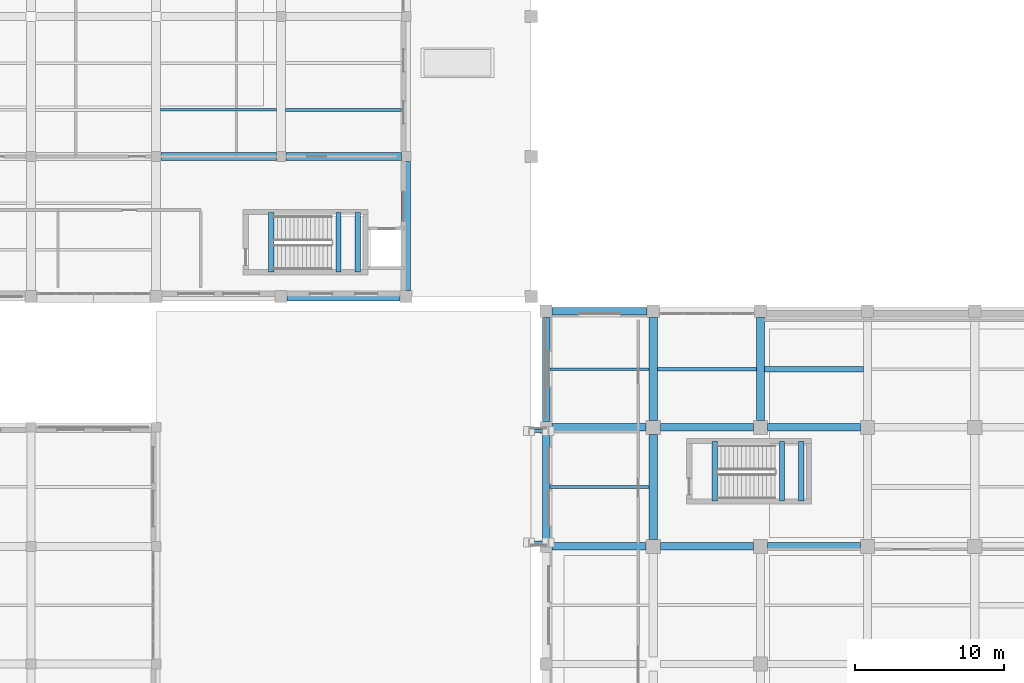
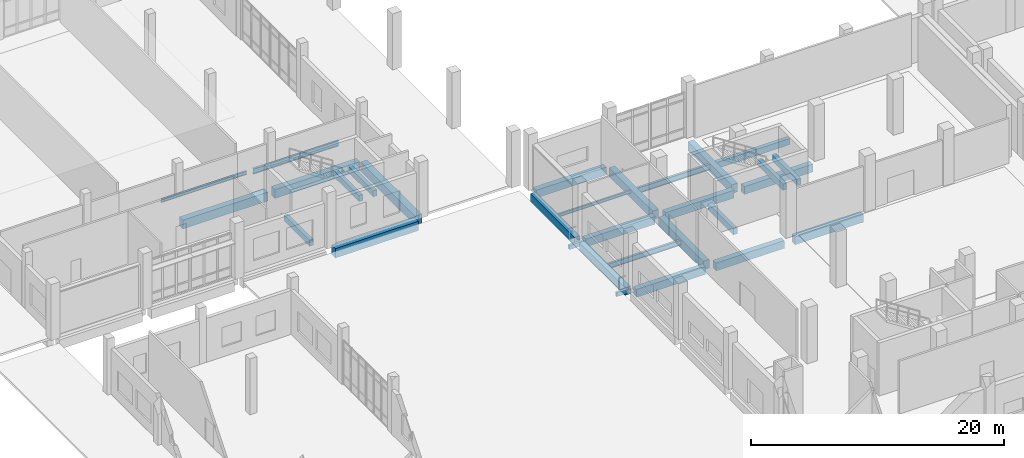
# One storey, part 20 of 79: 30 beams.
"""IFC4 building model written with IfcOpenShell, lengths in metres."""

from ifc_helpers import new_model, si_unit, direction, frame, origin, origin_2d, place, context, subcontext, project, spatial, rectangle, hollow_rectangle, i_section, extrude, material, material_profile, profile_set, type_object, element, save


model = new_model("IFC4")

# Units and contexts
model_context = context("Model", 3, precision=1e-05, world=origin(), true_north=direction((0.0, 1.0)))
body_context = subcontext(model_context, "Body", "Model", "MODEL_VIEW")
ifc_project = project(units=[si_unit("LENGTHUNIT", "METRE"), si_unit("AREAUNIT", "SQUARE_METRE"), si_unit("VOLUMEUNIT", "CUBIC_METRE"), si_unit("PLANEANGLEUNIT", "RADIAN"), si_unit("MASSUNIT", "GRAM", prefix="KILO")], contexts=[model_context])

# Site, building, storey
site_placement = place(None, origin())
site = spatial("IfcSite", under=ifc_project, at=site_placement, CompositionType="ELEMENT")
building_placement = place(site_placement, origin())
building = spatial("IfcBuilding", under=site, at=building_placement, Name="Kelarvand Opera House", CompositionType="ELEMENT")
storey_placement = place(building_placement, origin())
storey = spatial("IfcBuildingStorey", under=building, at=storey_placement, Name="L00", CompositionType="ELEMENT", Elevation=0.0)

# Beams
ifc_material_1 = material(Name="Concrete C35/45", Category="concrete")
ifc_material_profile_1 = material_profile(ifc_material_1, rectangle(XDim=0.35009765625, YDim=0.60009765625, at=origin_2d()), Name="RC 350x600", Category="concrete")
ifc_profile_set_1 = profile_set([ifc_material_profile_1], Name="Concrete C35/45")
beam_type_1 = type_object("IfcBeamType", Name="Structural Beam RC 350x600 BM-RC350x600", PredefinedType="BEAM", material=ifc_profile_set_1)
beam_1_placement = place(storey_placement, frame((66.675048828125, 82.300048828125, -0.6201171875), z_axis=(1.0, 0.0, 0.0), x_axis=(0.0, 1.0, 0.0)))
element("IfcBeam", 1, at=beam_1_placement, inside=storey, type_object=beam_type_1, Name="V2 L00 Beam BM-RC350x600", PredefinedType="BEAM", context=body_context, shape_type="SweptSolid", body=[
    extrude(rectangle(XDim=0.35009765625, YDim=0.60009765625, at=origin_2d()), origin(), (0.0, 0.0, 1.0), 6.64990234375),
])
for number, where, z_axis, x_axis, name in (
    (2, (63.340087890625, 73.449951171875, -0.52001953125), (0.0, 1.0, 0.0), (-1.0, 0.0, 0.0), "C3 Stair Landing Support Beam L00"),
    (3, (67.85009765625, 73.449951171875, 2.199951171875), (0.0, 1.0, 0.0), (-1.0, 0.0, 0.0), "C3 Stair Half-Landing Beam 1 L00"),
    (4, (69.14990234375, 73.449951171875, 2.199951171875), (0.0, 1.0, 0.0), (-1.0, 0.0, 0.0), "C3 Stair Half-Landing Beam 2 L00"),
    (5, (33.5400390625, 88.85009765625, -0.52001953125), (0.0, 1.0, 0.0), (-1.0, 0.0, 0.0), "C5 Stair Landing Support Beam L00"),
    (6, (38.050048828125, 88.85009765625, 2.199951171875), (0.0, 1.0, 0.0), (-1.0, 0.0, 0.0), "C5 Stair Half-Landing Beam 1 L00"),
    (7, (39.35009765625, 88.85009765625, 2.199951171875), (0.0, 1.0, 0.0), (-1.0, 0.0, 0.0), "C5 Stair Half-Landing Beam 2 L00"),
):
    element("IfcBeam", number, at=place(storey_placement, frame(where, z_axis=z_axis, x_axis=x_axis)), inside=storey, type_object=beam_type_1, Name=name, PredefinedType="BEAM", context=body_context, shape_type="SweptSolid", body=[
        extrude(rectangle(XDim=0.35009765625, YDim=0.60009765625, at=origin_2d()), origin(), (0.0, 0.0, 1.0), 4.0),
    ])
ifc_material_2 = material(Name="Concrete C40/50", Category="concrete")
ifc_material_profile_2 = material_profile(ifc_material_2, rectangle(XDim=0.5, YDim=0.75, at=origin_2d()), Name="RC 500x750", Category="concrete")
ifc_profile_set_2 = profile_set([ifc_material_profile_2], Name="Concrete C40/50")
beam_type_2 = type_object("IfcBeamType", Name="Structural Beam RC 500x750 BM-RC500x750", PredefinedType="BEAM", material=ifc_profile_set_2)
beam_2_placement = place(storey_placement, frame((52.409912109375, 70.39990234375, -0.695068359375), z_axis=(1.0, 0.0, 0.0), x_axis=(0.0, 1.0, 0.0)))
element("IfcBeam", 8, at=beam_2_placement, inside=storey, type_object=beam_type_2, Name="V2 L00 Beam BM-RC500x750", PredefinedType="BEAM", context=body_context, shape_type="SweptSolid", body=[
    extrude(rectangle(XDim=0.5, YDim=0.75, at=origin_2d()), origin(), (0.0, 0.0, 1.0), 6.315185546875),
])
for number, where, z_axis, x_axis, name in (
    (9, (59.675048828125, 70.39990234375, -0.695068359375), (1.0, 0.0, 0.0), (0.0, 1.0, 0.0), "V2 L00 Beam BM-RC500x750"),
    (10, (66.875, 70.39990234375, -0.695068359375), (1.0, 0.0, 0.0), (0.0, 1.0, 0.0), "V2 L00 Beam BM-RC500x750"),
):
    element("IfcBeam", number, at=place(storey_placement, frame(where, z_axis=z_axis, x_axis=x_axis)), inside=storey, type_object=beam_type_2, Name=name, PredefinedType="BEAM", context=body_context, shape_type="SweptSolid", body=[
        extrude(rectangle(XDim=0.5, YDim=0.75, at=origin_2d()), origin(), (0.0, 0.0, 1.0), 6.25),
    ])
beam_3_placement = place(storey_placement, frame((52.409912109375, 78.39990234375, -0.695068359375), z_axis=(1.0, 0.0, 0.0), x_axis=(0.0, 1.0, 0.0)))
element("IfcBeam", 11, at=beam_3_placement, inside=storey, type_object=beam_type_2, Name="V2 L00 Beam BM-RC500x750", PredefinedType="BEAM", context=body_context, shape_type="SweptSolid", body=[
    extrude(rectangle(XDim=0.5, YDim=0.75, at=origin_2d()), origin(), (0.0, 0.0, 1.0), 6.315185546875),
])
for number, where, z_axis, x_axis, name in (
    (12, (59.675048828125, 78.39990234375, -0.695068359375), (1.0, 0.0, 0.0), (0.0, 1.0, 0.0), "V2 L00 Beam BM-RC500x750"),
    (13, (66.875, 78.39990234375, -0.695068359375), (1.0, 0.0, 0.0), (0.0, 1.0, 0.0), "V2 L00 Beam BM-RC500x750"),
):
    element("IfcBeam", number, at=place(storey_placement, frame(where, z_axis=z_axis, x_axis=x_axis)), inside=storey, type_object=beam_type_2, Name=name, PredefinedType="BEAM", context=body_context, shape_type="SweptSolid", body=[
        extrude(rectangle(XDim=0.5, YDim=0.75, at=origin_2d()), origin(), (0.0, 0.0, 1.0), 6.25),
    ])
ifc_material_profile_3 = material_profile(ifc_material_2, rectangle(XDim=0.550048828125, YDim=0.85009765625, at=origin_2d()), Name="RC 550x850", Category="concrete")
ifc_profile_set_3 = profile_set([ifc_material_profile_3], Name="Concrete C40/50")
beam_type_3 = type_object("IfcBeamType", Name="Structural Beam RC 550x850 BM-RC550x850", PredefinedType="BEAM", material=ifc_profile_set_3)
beam_4_placement = place(storey_placement, frame((59.199951171875, 70.875, -0.7451171875), z_axis=(0.0, 1.0, 0.0), x_axis=(-1.0, 0.0, 0.0)))
element("IfcBeam", 14, at=beam_4_placement, inside=storey, type_object=beam_type_3, Name="V2 L00 Beam BM-RC550x850", PredefinedType="BEAM", context=body_context, shape_type="SweptSolid", body=[
    extrude(rectangle(XDim=0.550048828125, YDim=0.85009765625, at=origin_2d()), origin(), (0.0, 0.0, 1.0), 7.050048828125),
])
for number, where, z_axis, x_axis, name in (
    (15, (59.199951171875, 78.875, -0.7451171875), (0.0, 1.0, 0.0), (-1.0, 0.0, 0.0), "V2 L00 Beam BM-RC550x850"),
    (16, (66.39990234375, 78.875, -0.7451171875), (0.0, 1.0, 0.0), (-1.0, 0.0, 0.0), "V2 L00 Beam BM-RC550x850"),
):
    element("IfcBeam", number, at=place(storey_placement, frame(where, z_axis=z_axis, x_axis=x_axis)), inside=storey, type_object=beam_type_3, Name=name, PredefinedType="BEAM", context=body_context, shape_type="SweptSolid", body=[
        extrude(rectangle(XDim=0.550048828125, YDim=0.85009765625, at=origin_2d()), origin(), (0.0, 0.0, 1.0), 6.9150390625),
    ])
for number, where, z_axis, x_axis, name in (
    (17, (26.125, 96.60009765625, -0.72509765625), (1.0, 0.0, 0.0), (0.0, 1.0, 0.0), "V3 L00 Beam BM-RC550x850"),
    (18, (34.52490234375, 96.60009765625, -0.72509765625), (1.0, 0.0, 0.0), (0.0, 1.0, 0.0), "V3 L00 Beam BM-RC550x850"),
):
    element("IfcBeam", number, at=place(storey_placement, frame(where, z_axis=z_axis, x_axis=x_axis)), inside=storey, type_object=beam_type_3, Name=name, PredefinedType="BEAM", context=body_context, shape_type="SweptSolid", body=[
        extrude(rectangle(XDim=0.550048828125, YDim=0.85009765625, at=origin_2d()), origin(), (0.0, 0.0, 1.0), 7.75),
    ])
ifc_material_profile_4 = material_profile(ifc_material_2, rectangle(XDim=0.60009765625, YDim=0.89990234375, at=origin_2d()), Name="RC 600x900", Category="concrete")
ifc_profile_set_4 = profile_set([ifc_material_profile_4], Name="Concrete C40/50")
beam_type_4 = type_object("IfcBeamType", Name="Structural Beam RC 600x900 BM-RC600x900", PredefinedType="BEAM", material=ifc_profile_set_4)
beam_5_placement = place(storey_placement, frame((42.60009765625, 87.610107421875, -0.75), z_axis=(0.0, 1.0, 0.0), x_axis=(-1.0, 0.0, 0.0)))
element("IfcBeam", 19, at=beam_5_placement, inside=storey, type_object=beam_type_4, Name="V3 L00 Beam BM-RC600x900", PredefinedType="BEAM", context=body_context, shape_type="SweptSolid", body=[
    extrude(rectangle(XDim=0.60009765625, YDim=0.89990234375, at=origin_2d()), origin(), (0.0, 0.0, 1.0), 8.664794921875),
])
ifc_material_3 = material(Name="Steel S355", Category="steel")
ifc_material_profile_5 = material_profile(ifc_material_3, hollow_rectangle(XDim=0.199951171875, YDim=0.39990234375, WallThickness=0.01611328125, at=origin_2d()), Name="RHS 400x200x16.0", Category="steel")
ifc_profile_set_5 = profile_set([ifc_material_profile_5], Name="Steel S355")
beam_type_5 = type_object("IfcBeamType", Name="Structural Beam RHS 400x200x16.0 BM-RHS400", PredefinedType="BEAM", material=ifc_profile_set_5)
for number, where, z_axis, x_axis, name in (
    (20, (50.85009765625, 70.64990234375, -0.52001953125), (1.0, 0.0, 0.0), (0.0, 1.0, 0.0), "Seismic Sliding Corbel Beam BR-JW-N L00 1"),
    (21, (50.85009765625, 78.14990234375, -0.52001953125), (1.0, 0.0, 0.0), (0.0, 1.0, 0.0), "Seismic Sliding Corbel Beam BR-JW-N L00 2"),
):
    element("IfcBeam", number, at=place(storey_placement, frame(where, z_axis=z_axis, x_axis=x_axis)), inside=storey, type_object=beam_type_5, Name=name, PredefinedType="BEAM", context=body_context, shape_type="SweptSolid", body=[
        extrude(hollow_rectangle(XDim=0.199951171875, YDim=0.39990234375, WallThickness=0.01611328125, at=origin_2d()), origin(), (0.0, 0.0, 1.0), 1.2998046875),
    ])
ifc_material_profile_6 = material_profile(ifc_material_3, i_section(OverallWidth=0.14990234375, OverallDepth=0.300048828125, WebThickness=0.007080078125, FlangeThickness=0.0107421875, at=origin_2d()), Name="IPE 300", Category="steel")
ifc_profile_set_6 = profile_set([ifc_material_profile_6], Name="Steel S355")
beam_type_6 = type_object("IfcBeamType", Name="Structural Joist IPE 300 JS-IPE300", PredefinedType="JOIST", material=ifc_profile_set_6)
beam_6_placement = place(storey_placement, frame((52.25, 82.300048828125, -0.469970703125), z_axis=(1.0, 0.0, 0.0), x_axis=(0.0, 1.0, 0.0)))
element("IfcBeam", 22, at=beam_6_placement, inside=storey, type_object=beam_type_6, Name="V2 L00 Beam JS-IPE300", PredefinedType="JOIST", context=body_context, shape_type="SweptSolid", body=[
    extrude(i_section(OverallWidth=0.14990234375, OverallDepth=0.300048828125, WebThickness=0.007080078125, FlangeThickness=0.0107421875, at=origin_2d()), origin(), (0.0, 0.0, 1.0), 6.675048828125),
])
ifc_material_profile_7 = material_profile(ifc_material_3, i_section(OverallWidth=0.159912109375, OverallDepth=0.330078125, WebThickness=0.007568359375, FlangeThickness=0.011474609375, at=origin_2d()), Name="IPE 330", Category="steel")
ifc_profile_set_7 = profile_set([ifc_material_profile_7], Name="Steel S355")
beam_type_7 = type_object("IfcBeamType", Name="Structural Joist IPE 330 JS-IPE330", PredefinedType="JOIST", material=ifc_profile_set_7)
beam_7_placement = place(storey_placement, frame((26.10009765625, 99.7333984375, -0.465087890625), z_axis=(1.0, 0.0, 0.0), x_axis=(0.0, 1.0, 0.0)))
element("IfcBeam", 23, at=beam_7_placement, inside=storey, type_object=beam_type_7, Name="V3 L00 Beam JS-IPE330", PredefinedType="JOIST", context=body_context, shape_type="SweptSolid", body=[
    extrude(i_section(OverallWidth=0.159912109375, OverallDepth=0.330078125, WebThickness=0.007568359375, FlangeThickness=0.011474609375, at=origin_2d()), origin(), (0.0, 0.0, 1.0), 7.7998046875),
])
ifc_material_profile_8 = material_profile(ifc_material_3, i_section(OverallWidth=0.199951171875, OverallDepth=0.5, WebThickness=0.01025390625, FlangeThickness=0.01611328125, at=origin_2d()), Name="IPE 500", Category="steel")
ifc_profile_set_8 = profile_set([ifc_material_profile_8], Name="Steel S355")
beam_type_8 = type_object("IfcBeamType", Name="Structural Joist IPE 500 JS-IPE500", PredefinedType="JOIST", material=ifc_profile_set_8)
beam_8_placement = place(storey_placement, frame((52.25, 74.39990234375, -0.570068359375), z_axis=(1.0, 0.0, 0.0), x_axis=(0.0, 1.0, 0.0)))
element("IfcBeam", 24, at=beam_8_placement, inside=storey, type_object=beam_type_8, Name="V2 L00 Beam JS-IPE500", PredefinedType="JOIST", context=body_context, shape_type="SweptSolid", body=[
    extrude(i_section(OverallWidth=0.199951171875, OverallDepth=0.5, WebThickness=0.01025390625, FlangeThickness=0.01611328125, at=origin_2d()), origin(), (0.0, 0.0, 1.0), 6.675048828125),
])
beam_9_placement = place(storey_placement, frame((34.5, 99.7333984375, -0.550048828125), z_axis=(1.0, 0.0, 0.0), x_axis=(0.0, 1.0, 0.0)))
element("IfcBeam", 25, at=beam_9_placement, inside=storey, type_object=beam_type_8, Name="V3 L00 Beam JS-IPE500", PredefinedType="JOIST", context=body_context, shape_type="SweptSolid", body=[
    extrude(i_section(OverallWidth=0.199951171875, OverallDepth=0.5, WebThickness=0.01025390625, FlangeThickness=0.01611328125, at=origin_2d()), origin(), (0.0, 0.0, 1.0), 7.800048828125),
])
ifc_material_profile_9 = material_profile(ifc_material_3, i_section(OverallWidth=0.2099609375, OverallDepth=0.550048828125, WebThickness=0.010986328125, FlangeThickness=0.01708984375, at=origin_2d()), Name="IPE 550", Category="steel")
ifc_profile_set_9 = profile_set([ifc_material_profile_9], Name="Steel S355")
beam_type_9 = type_object("IfcBeamType", Name="Structural Joist IPE 550 JS-IPE550", PredefinedType="JOIST", material=ifc_profile_set_9)
beam_10_placement = place(storey_placement, frame((59.47509765625, 82.300048828125, -0.594970703125), z_axis=(1.0, 0.0, 0.0), x_axis=(0.0, 1.0, 0.0)))
element("IfcBeam", 26, at=beam_10_placement, inside=storey, type_object=beam_type_9, Name="V2 L00 Beam JS-IPE550", PredefinedType="JOIST", context=body_context, shape_type="SweptSolid", body=[
    extrude(i_section(OverallWidth=0.2099609375, OverallDepth=0.550048828125, WebThickness=0.010986328125, FlangeThickness=0.01708984375, at=origin_2d()), origin(), (0.0, 0.0, 1.0), 6.64990234375),
])
ifc_material_profile_10 = material_profile(ifc_material_2, rectangle(XDim=0.5, YDim=0.75, at=origin_2d()), Name="RC 500x750", Category="concrete")
ifc_profile_set_10 = profile_set([ifc_material_profile_10], Name="Concrete C40/50")
beam_type_10 = type_object("IfcBeamType", Name="Structural Spandrel RC 500x750 SP-RC500x750E", PredefinedType="SPANDREL", material=ifc_profile_set_10)
beam_11_placement = place(storey_placement, frame((52.409912109375, 86.199951171875, -0.695068359375), z_axis=(1.0, 0.0, 0.0), x_axis=(0.0, 1.0, 0.0)))
element("IfcBeam", 27, at=beam_11_placement, inside=storey, type_object=beam_type_10, Name="V2 L00 Beam SP-RC500x750E", PredefinedType="SPANDREL", context=body_context, shape_type="SweptSolid", body=[
    extrude(rectangle(XDim=0.5, YDim=0.75, at=origin_2d()), origin(), (0.0, 0.0, 1.0), 6.380126953125),
])
beam_12_placement = place(storey_placement, frame((52.0, 70.81005859375, -0.695068359375), z_axis=(0.0, 1.0, 0.0), x_axis=(-1.0, 0.0, 0.0)))
element("IfcBeam", 28, at=beam_12_placement, inside=storey, type_object=beam_type_10, Name="V2 L00 Beam SP-RC500x750E", PredefinedType="SPANDREL", context=body_context, shape_type="SweptSolid", body=[
    extrude(rectangle(XDim=0.5, YDim=0.75, at=origin_2d()), origin(), (0.0, 0.0, 1.0), 7.179931640625),
])
beam_13_placement = place(storey_placement, frame((52.0, 78.81005859375, -0.695068359375), z_axis=(0.0, 1.0, 0.0), x_axis=(-1.0, 0.0, 0.0)))
element("IfcBeam", 29, at=beam_13_placement, inside=storey, type_object=beam_type_10, Name="V2 L00 Beam SP-RC500x750E", PredefinedType="SPANDREL", context=body_context, shape_type="SweptSolid", body=[
    extrude(rectangle(XDim=0.5, YDim=0.75, at=origin_2d()), origin(), (0.0, 0.0, 1.0), 6.97998046875),
])
ifc_material_profile_11 = material_profile(ifc_material_2, rectangle(XDim=0.60009765625, YDim=0.89990234375, at=origin_2d()), Name="RC 600x900", Category="concrete")
ifc_profile_set_11 = profile_set([ifc_material_profile_11], Name="Concrete C40/50")
beam_type_11 = type_object("IfcBeamType", Name="Structural Spandrel RC 600x900 SP-RC600x900E", PredefinedType="SPANDREL", material=ifc_profile_set_11)
beam_14_placement = place(storey_placement, frame((34.610107421875, 87.199951171875, -0.75), z_axis=(1.0, 0.0, 0.0), x_axis=(0.0, 1.0, 0.0)))
element("IfcBeam", 30, at=beam_14_placement, inside=storey, type_object=beam_type_11, Name="V3 L00 Beam SP-RC600x900E", PredefinedType="SPANDREL", context=body_context, shape_type="SweptSolid", body=[
    extrude(rectangle(XDim=0.60009765625, YDim=0.89990234375, at=origin_2d()), origin(), (0.0, 0.0, 1.0), 7.579833984375),
])

save(model, "model.ifc")
